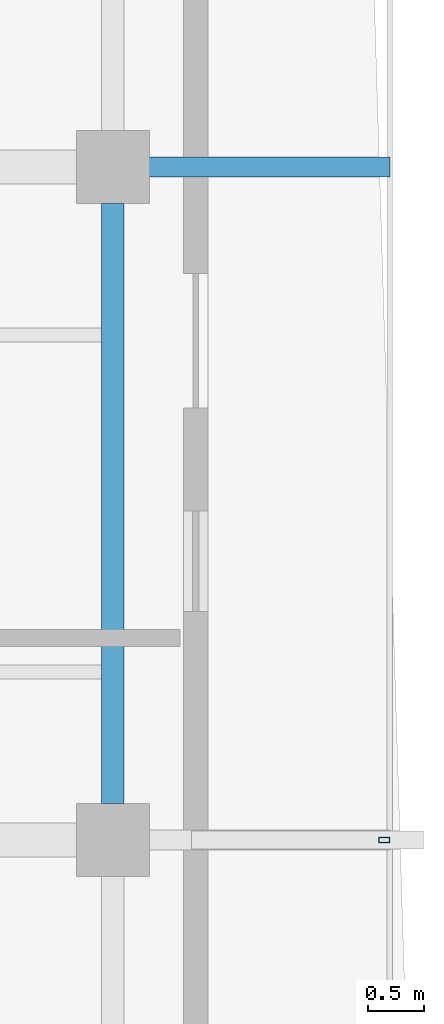
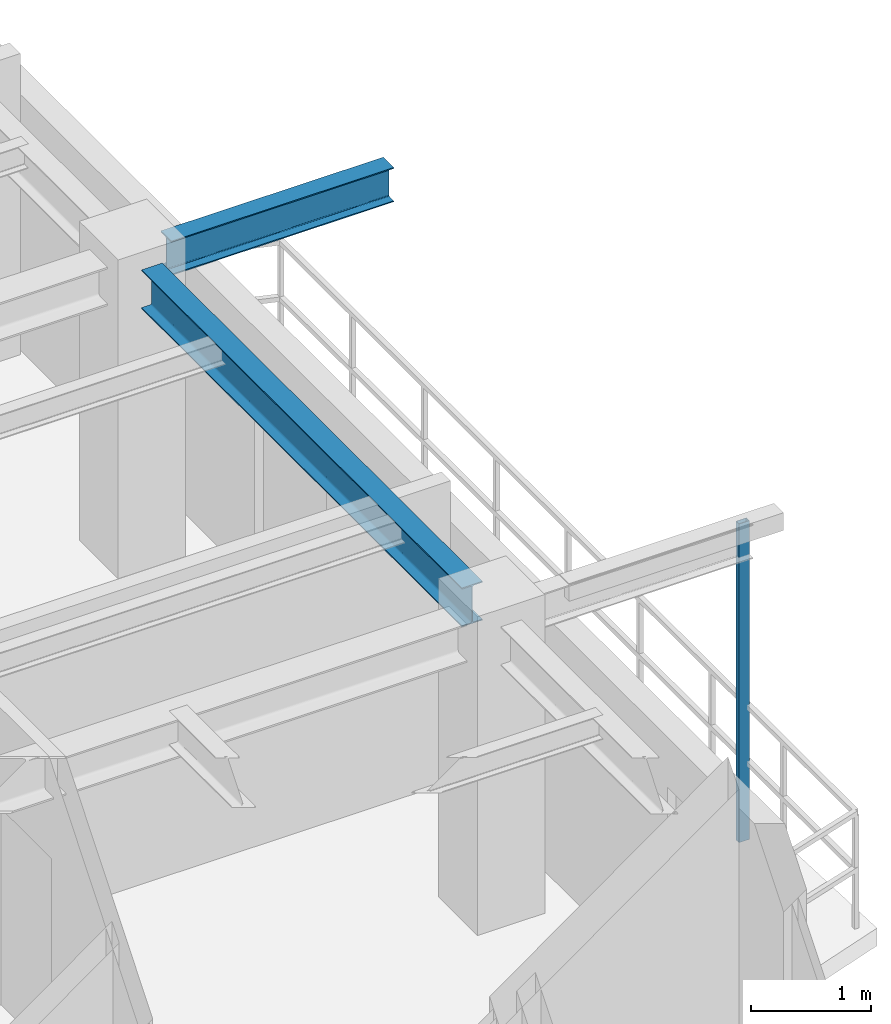
# One storey, part 7 of 14: 2 beams, 1 member.
"""IFC4 building model written with IfcOpenShell, lengths in metres."""

from ifc_helpers import new_model, si_unit, direction, frame, origin, origin_2d, place, context, subcontext, project, spatial, hollow_rectangle, i_section, extrude, source, transform, mapped, material, material_profile, profile_set, type_object, element, save


model = new_model("IFC4")

# Units and contexts
model_context = context("Model", 3, precision=1e-05, world=origin(), true_north=direction((0.0, 1.0)))
body_context = subcontext(model_context, "Body", "Model", "MODEL_VIEW")
ifc_project = project(units=[si_unit("LENGTHUNIT", "METRE"), si_unit("AREAUNIT", "SQUARE_METRE"), si_unit("VOLUMEUNIT", "CUBIC_METRE"), si_unit("PLANEANGLEUNIT", "RADIAN"), si_unit("MASSUNIT", "GRAM", prefix="KILO"), si_unit("THERMODYNAMICTEMPERATUREUNIT", "KELVIN"), si_unit("POWERUNIT", "WATT")], contexts=[model_context])

# Site, building, storey
site_placement = place(None, origin())
site = spatial("IfcSite", under=ifc_project, at=site_placement, CompositionType="ELEMENT")
building_placement = place(site_placement, origin())
building = spatial("IfcBuilding", under=site, at=building_placement, Name="Qiaomeng Ring Towers", CompositionType="ELEMENT")
storey_placement = place(building_placement, frame((0.0, 0.0, 247.0)))
storey = spatial("IfcBuildingStorey", under=building, at=storey_placement, Name="L72", CompositionType="ELEMENT", Elevation=247.0)

# Beams
ifc_material_1 = material(Name="Steel Q355B", Category="steel")
ifc_material_profile_1 = material_profile(ifc_material_1, i_section(OverallWidth=0.198974609375, OverallDepth=0.39599609375, WebThickness=0.007080078125, FlangeThickness=0.010986328125, FilletRadius=0.01611328125, at=origin_2d()), Name="HN 396x199x7x11")
ifc_profile_set_1 = profile_set([ifc_material_profile_1], Name="Steel Q355B")
beam_type_1 = type_object("IfcBeamType", Name="STR-BM-HN396", PredefinedType="SPANDREL", material=ifc_profile_set_1)
shared_shape_1 = source(origin(), body_context, "Body", "SweptSolid", [
    extrude(i_section(OverallWidth=0.198974609375, OverallDepth=0.39599609375, WebThickness=0.007080078125, FlangeThickness=0.010986328125, FilletRadius=0.01611328125, at=origin_2d()), origin(), (0.0, 0.0, 1.0), 5.35205078125),
])
beam_1_placement = place(storey_placement, frame((33.85009765625, 20.323974609375, 2.8720703125), z_axis=(0.0, 1.0, 0.0), x_axis=(-1.0, 0.0, 0.0)))
element("IfcBeam", 1, at=beam_1_placement, inside=storey, type_object=beam_type_1, Name="L72 beam STR-SP-L72-T1-E2-E3", PredefinedType="SPANDREL", context=body_context, shape_type="MappedRepresentation", body=[
    mapped(shared_shape_1, transform((0.0, 0.0, 0.0), x_axis=(1.0, 0.0, 0.0), y_axis=(0.0, 1.0, 0.0), z_axis=(0.0, 0.0, 1.0), scale=1.0)),
])
ifc_material_profile_2 = material_profile(ifc_material_1, i_section(OverallWidth=0.175048828125, OverallDepth=0.35009765625, WebThickness=0.007080078125, FlangeThickness=0.010986328125, FilletRadius=0.013916015625, at=origin_2d()), Name="HN 350x175x7x11")
ifc_profile_set_2 = profile_set([ifc_material_profile_2], Name="Steel Q355B")
beam_type_2 = type_object("IfcBeamType", Name="STR-BM-HN350", PredefinedType="JOIST", material=ifc_profile_set_2)
shared_shape_2 = source(origin(), body_context, "Body", "SweptSolid", [
    extrude(i_section(OverallWidth=0.175048828125, OverallDepth=0.35009765625, WebThickness=0.007080078125, FlangeThickness=0.010986328125, FilletRadius=0.013916015625, at=origin_2d()), origin(), (0.0, 0.0, 1.0), 2.14599609375),
])
beam_2_placement = place(storey_placement, frame((34.174072265625, 26.0, 2.89501953125), z_axis=(1.0, 0.0, 0.0), x_axis=(0.0, 1.0, 0.0)))
element("IfcBeam", 2, at=beam_2_placement, inside=storey, type_object=beam_type_2, Name="L72 beam STR-BALBM-L72-E3", PredefinedType="JOIST", context=body_context, shape_type="MappedRepresentation", body=[
    mapped(shared_shape_2, transform((0.0, 0.0, 0.0), x_axis=(1.0, 0.0, 0.0), y_axis=(0.0, 1.0, 0.0), z_axis=(0.0, 0.0, 1.0), scale=1.0)),
])

# Member
ifc_material_2 = material(Name="Stainless steel 316", Category="steel")
ifc_material_profile_3 = material_profile(ifc_material_2, hollow_rectangle(XDim=0.050048828125, YDim=0.10009765625, WallThickness=0.00390625, at=origin_2d()), Name="SS TRELLIS 100x50")
ifc_profile_set_3 = profile_set([ifc_material_profile_3], Name="Stainless steel 316")
member_type = type_object("IfcMemberType", Name="ARC-TR-POST2", PredefinedType="STUD", material=ifc_profile_set_3)
shared_shape_3 = source(origin(), body_context, "Body", "SweptSolid", [
    extrude(hollow_rectangle(XDim=0.050048828125, YDim=0.10009765625, WallThickness=0.00390625, at=origin_2d()), origin(), (0.0, 0.0, 1.0), 3.25),
])
member_placement = place(storey_placement, frame((36.27001953125, 20.0, -0.179931640625), z_axis=(0.0, 0.0, 1.0), x_axis=(0.0, 1.0, 0.0)))
element("IfcMember", 3, at=member_placement, inside=storey, type_object=member_type, Name="L72 Outer Ventilated Trellis Post E", PredefinedType="STUD", context=body_context, shape_type="MappedRepresentation", body=[
    mapped(shared_shape_3, transform((0.0, 0.0, 0.0), x_axis=(1.0, 0.0, 0.0), y_axis=(0.0, 1.0, 0.0), z_axis=(0.0, 0.0, 1.0), scale=1.0)),
])

save(model, "model.ifc")
